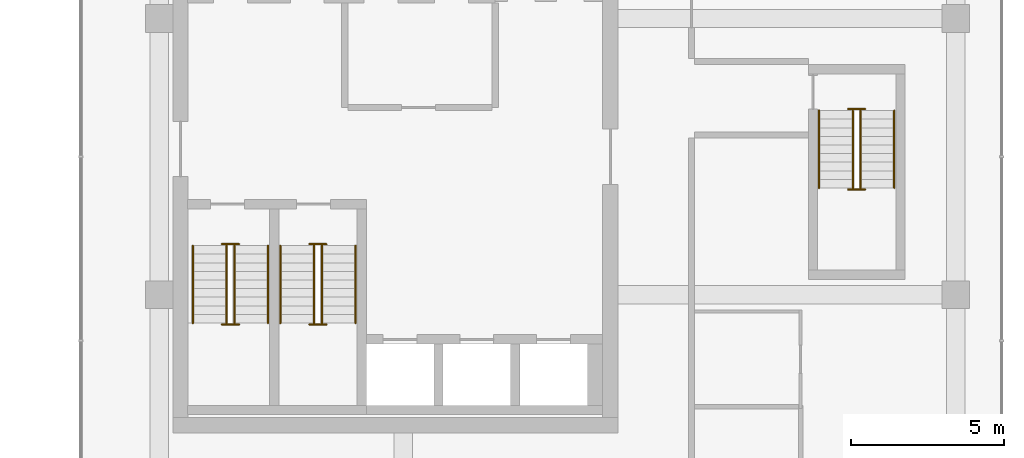
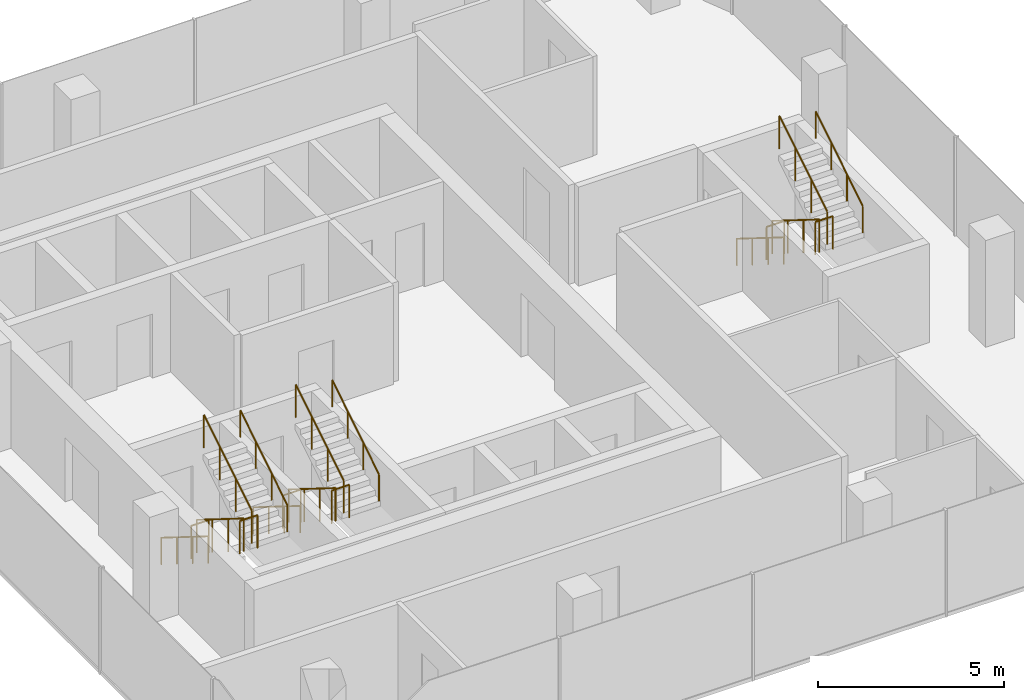
# One storey, part 23 of 23: 18 railings.
"""IFC4 building model written with IfcOpenShell, lengths in metres."""

from ifc_helpers import new_model, si_unit, direction, frame, origin, origin_2d, place, context, subcontext, project, spatial, circle, extrude, material, type_object, element, save


model = new_model("IFC4")

# Units and contexts
model_context = context("Model", 3, precision=1e-05, world=origin(), true_north=direction((0.0, 1.0)))
body_context = subcontext(model_context, "Body", "Model", "MODEL_VIEW")
ifc_project = project(units=[si_unit("LENGTHUNIT", "METRE"), si_unit("AREAUNIT", "SQUARE_METRE"), si_unit("VOLUMEUNIT", "CUBIC_METRE"), si_unit("PLANEANGLEUNIT", "RADIAN"), si_unit("MASSUNIT", "GRAM", prefix="KILO")], contexts=[model_context])

# Site, building, storey
site_placement = place(None, origin())
site = spatial("IfcSite", under=ifc_project, at=site_placement, CompositionType="ELEMENT")
building_placement = place(site_placement, origin())
building = spatial("IfcBuilding", under=site, at=building_placement, Name="Plateau Cross Towers", CompositionType="ELEMENT")
storey_placement = place(building_placement, frame((0.0, 0.0, 40.800048828125)))
storey = spatial("IfcBuildingStorey", under=building, at=storey_placement, Name="L09", CompositionType="ELEMENT", Elevation=40.800048828125)

# Railings
ifc_material_1 = material(Name="Stainless steel and toughened glass", Category="steel")
railing_type_1 = type_object("IfcRailingType", Name="RL-GUARD-1100", PredefinedType="GUARDRAIL", material=ifc_material_1)
railing_1_placement = place(storey_placement, frame((76.75, 6.10009765625, 0.175048828125)))
element("IfcRailing", 1, at=railing_1_placement, inside=storey, type_object=railing_type_1, Name="L09 SB-1 stair guard 1", PredefinedType="GUARDRAIL", context=body_context, shape_type="SweptSolid", body=[
    extrude(circle(Radius=0.02392578125, at=origin_2d()), frame((0.0, 0.0, 1.076171875), z_axis=(0.0, -0.848007534815, 0.529984170421), x_axis=(1.0, 0.0, 0.0)), (0.0, 0.0, 1.0), 2.9716796875),
    extrude(circle(Radius=0.02099609375, at=origin_2d()), origin(), (0.0, 0.0, 1.0), 1.052001953125),
    extrude(circle(Radius=0.02099609375, at=origin_2d()), frame((0.0, -0.840087890625, 0.52490234375)), (0.0, 0.0, 1.0), 1.052001953125),
    extrude(circle(Radius=0.02099609375, at=origin_2d()), frame((0.0, -1.679931640625, 1.050048828125)), (0.0, 0.0, 1.0), 1.052001953125),
    extrude(circle(Radius=0.02099609375, at=origin_2d()), frame((0.0, -2.52001953125, 1.574951171875)), (0.0, 0.0, 1.0), 1.052001953125),
])
railing_2_placement = place(storey_placement, frame((76.60009765625, 3.530029296875, 1.75)))
element("IfcRailing", 2, at=railing_2_placement, inside=storey, type_object=railing_type_1, Name="L09 SB-1 stair guard 2", PredefinedType="GUARDRAIL", context=body_context, shape_type="SweptSolid", body=[
    extrude(circle(Radius=0.02392578125, at=origin_2d()), frame((0.0, 0.0, 1.076171875), z_axis=(1.0, 0.0, 0.0), x_axis=(0.0, 1.0, 0.0)), (0.0, 0.0, 1.0), 0.5498046875),
    extrude(circle(Radius=0.02099609375, at=origin_2d()), origin(), (0.0, 0.0, 1.0), 1.052001953125),
    extrude(circle(Radius=0.02099609375, at=origin_2d()), frame((0.5498046875, 0.0, 0.0)), (0.0, 0.0, 1.0), 1.052001953125),
])
railing_3_placement = place(storey_placement, frame((77.0, 3.580078125, 1.925048828125)))
element("IfcRailing", 3, at=railing_3_placement, inside=storey, type_object=railing_type_1, Name="L09 SB-1 stair guard 3", PredefinedType="GUARDRAIL", context=body_context, shape_type="SweptSolid", body=[
    extrude(circle(Radius=0.02392578125, at=origin_2d()), frame((0.0, 0.0, 1.076171875), z_axis=(0.0, 0.852616386126, 0.522537365276), x_axis=(-1.0, 0.0, 0.0)), (0.0, 0.0, 1.0), 3.01416015625),
    extrude(circle(Radius=0.02099609375, at=origin_2d()), origin(), (0.0, 0.0, 1.0), 1.052001953125),
    extrude(circle(Radius=0.02099609375, at=origin_2d()), frame((0.0, 0.856689453125, 0.52490234375)), (0.0, 0.0, 1.0), 1.052001953125),
    extrude(circle(Radius=0.02099609375, at=origin_2d()), frame((0.0, 1.713134765625, 1.050048828125)), (0.0, 0.0, 1.0), 1.052001953125),
    extrude(circle(Radius=0.02099609375, at=origin_2d()), frame((0.0, 2.56982421875, 1.574951171875)), (0.0, 0.0, 1.0), 1.052001953125),
])
railing_4_placement = place(storey_placement, frame((76.60009765625, 6.14990234375, 0.0)))
element("IfcRailing", 4, at=railing_4_placement, inside=storey, type_object=railing_type_1, Name="L09 SB-1 stair guard 4", PredefinedType="GUARDRAIL", context=body_context, shape_type="SweptSolid", body=[
    extrude(circle(Radius=0.02392578125, at=origin_2d()), frame((0.0, 0.0, 1.076171875), z_axis=(1.0, 0.0, 0.0), x_axis=(0.0, 1.0, 0.0)), (0.0, 0.0, 1.0), 0.5498046875),
    extrude(circle(Radius=0.02099609375, at=origin_2d()), origin(), (0.0, 0.0, 1.0), 1.052001953125),
    extrude(circle(Radius=0.02099609375, at=origin_2d()), frame((0.5498046875, 0.0, 0.0)), (0.0, 0.0, 1.0), 1.052001953125),
])
railing_5_placement = place(storey_placement, frame((79.60009765625, 6.10009765625, 0.175048828125)))
element("IfcRailing", 5, at=railing_5_placement, inside=storey, type_object=railing_type_1, Name="L09 SB-2 stair guard 1", PredefinedType="GUARDRAIL", context=body_context, shape_type="SweptSolid", body=[
    extrude(circle(Radius=0.02392578125, at=origin_2d()), frame((0.0, 0.0, 1.076171875), z_axis=(0.0, -0.848007534815, 0.529984170421), x_axis=(1.0, 0.0, 0.0)), (0.0, 0.0, 1.0), 2.9716796875),
    extrude(circle(Radius=0.02099609375, at=origin_2d()), origin(), (0.0, 0.0, 1.0), 1.052001953125),
    extrude(circle(Radius=0.02099609375, at=origin_2d()), frame((0.0, -0.840087890625, 0.52490234375)), (0.0, 0.0, 1.0), 1.052001953125),
    extrude(circle(Radius=0.02099609375, at=origin_2d()), frame((0.0, -1.679931640625, 1.050048828125)), (0.0, 0.0, 1.0), 1.052001953125),
    extrude(circle(Radius=0.02099609375, at=origin_2d()), frame((0.0, -2.52001953125, 1.574951171875)), (0.0, 0.0, 1.0), 1.052001953125),
])
railing_6_placement = place(storey_placement, frame((79.449951171875, 3.530029296875, 1.75)))
element("IfcRailing", 6, at=railing_6_placement, inside=storey, type_object=railing_type_1, Name="L09 SB-2 stair guard 2", PredefinedType="GUARDRAIL", context=body_context, shape_type="SweptSolid", body=[
    extrude(circle(Radius=0.02392578125, at=origin_2d()), frame((0.0, 0.0, 1.076171875), z_axis=(1.0, 0.0, 0.0), x_axis=(0.0, 1.0, 0.0)), (0.0, 0.0, 1.0), 0.550048828125),
    extrude(circle(Radius=0.02099609375, at=origin_2d()), origin(), (0.0, 0.0, 1.0), 1.052001953125),
    extrude(circle(Radius=0.02099609375, at=origin_2d()), frame((0.550048828125, 0.0, 0.0)), (0.0, 0.0, 1.0), 1.052001953125),
])
railing_7_placement = place(storey_placement, frame((79.85009765625, 3.580078125, 1.925048828125)))
element("IfcRailing", 7, at=railing_7_placement, inside=storey, type_object=railing_type_1, Name="L09 SB-2 stair guard 3", PredefinedType="GUARDRAIL", context=body_context, shape_type="SweptSolid", body=[
    extrude(circle(Radius=0.02392578125, at=origin_2d()), frame((0.0, 0.0, 1.076171875), z_axis=(0.0, 0.852616386126, 0.522537365276), x_axis=(-1.0, 0.0, 0.0)), (0.0, 0.0, 1.0), 3.01416015625),
    extrude(circle(Radius=0.02099609375, at=origin_2d()), origin(), (0.0, 0.0, 1.0), 1.052001953125),
    extrude(circle(Radius=0.02099609375, at=origin_2d()), frame((0.0, 0.856689453125, 0.52490234375)), (0.0, 0.0, 1.0), 1.052001953125),
    extrude(circle(Radius=0.02099609375, at=origin_2d()), frame((0.0, 1.713134765625, 1.050048828125)), (0.0, 0.0, 1.0), 1.052001953125),
    extrude(circle(Radius=0.02099609375, at=origin_2d()), frame((0.0, 2.56982421875, 1.574951171875)), (0.0, 0.0, 1.0), 1.052001953125),
])
railing_8_placement = place(storey_placement, frame((79.449951171875, 6.14990234375, 0.0)))
element("IfcRailing", 8, at=railing_8_placement, inside=storey, type_object=railing_type_1, Name="L09 SB-2 stair guard 4", PredefinedType="GUARDRAIL", context=body_context, shape_type="SweptSolid", body=[
    extrude(circle(Radius=0.02392578125, at=origin_2d()), frame((0.0, 0.0, 1.076171875), z_axis=(1.0, 0.0, 0.0), x_axis=(0.0, 1.0, 0.0)), (0.0, 0.0, 1.0), 0.550048828125),
    extrude(circle(Radius=0.02099609375, at=origin_2d()), origin(), (0.0, 0.0, 1.0), 1.052001953125),
    extrude(circle(Radius=0.02099609375, at=origin_2d()), frame((0.550048828125, 0.0, 0.0)), (0.0, 0.0, 1.0), 1.052001953125),
])
railing_9_placement = place(storey_placement, frame((97.14990234375, 10.5, 0.175048828125)))
element("IfcRailing", 9, at=railing_9_placement, inside=storey, type_object=railing_type_1, Name="L09 SB-3 stair guard 1", PredefinedType="GUARDRAIL", context=body_context, shape_type="SweptSolid", body=[
    extrude(circle(Radius=0.02392578125, at=origin_2d()), frame((0.0, 0.0, 1.076171875), z_axis=(0.0, -0.848007534815, 0.529984170421), x_axis=(1.0, 0.0, 0.0)), (0.0, 0.0, 1.0), 2.9716796875),
    extrude(circle(Radius=0.02099609375, at=origin_2d()), origin(), (0.0, 0.0, 1.0), 1.052001953125),
    extrude(circle(Radius=0.02099609375, at=origin_2d()), frame((0.0, -0.840087890625, 0.52490234375)), (0.0, 0.0, 1.0), 1.052001953125),
    extrude(circle(Radius=0.02099609375, at=origin_2d()), frame((0.0, -1.679931640625, 1.050048828125)), (0.0, 0.0, 1.0), 1.052001953125),
    extrude(circle(Radius=0.02099609375, at=origin_2d()), frame((0.0, -2.52001953125, 1.574951171875)), (0.0, 0.0, 1.0), 1.052001953125),
])
railing_10_placement = place(storey_placement, frame((97.0, 7.929931640625, 1.75)))
element("IfcRailing", 10, at=railing_10_placement, inside=storey, type_object=railing_type_1, Name="L09 SB-3 stair guard 2", PredefinedType="GUARDRAIL", context=body_context, shape_type="SweptSolid", body=[
    extrude(circle(Radius=0.02392578125, at=origin_2d()), frame((0.0, 0.0, 1.076171875), z_axis=(1.0, 0.0, 0.0), x_axis=(0.0, 1.0, 0.0)), (0.0, 0.0, 1.0), 0.550048828125),
    extrude(circle(Radius=0.02099609375, at=origin_2d()), origin(), (0.0, 0.0, 1.0), 1.052001953125),
    extrude(circle(Radius=0.02099609375, at=origin_2d()), frame((0.550048828125, 0.0, 0.0)), (0.0, 0.0, 1.0), 1.052001953125),
])
railing_11_placement = place(storey_placement, frame((97.39990234375, 7.97998046875, 1.925048828125)))
element("IfcRailing", 11, at=railing_11_placement, inside=storey, type_object=railing_type_1, Name="L09 SB-3 stair guard 3", PredefinedType="GUARDRAIL", context=body_context, shape_type="SweptSolid", body=[
    extrude(circle(Radius=0.02392578125, at=origin_2d()), frame((0.0, 0.0, 1.076171875), z_axis=(0.0, 0.852638500773, 0.522501279423), x_axis=(-1.0, 0.0, 0.0)), (0.0, 0.0, 1.0), 3.01416015625),
    extrude(circle(Radius=0.02099609375, at=origin_2d()), origin(), (0.0, 0.0, 1.0), 1.052001953125),
    extrude(circle(Radius=0.02099609375, at=origin_2d()), frame((0.0, 0.856689453125, 0.52490234375)), (0.0, 0.0, 1.0), 1.052001953125),
    extrude(circle(Radius=0.02099609375, at=origin_2d()), frame((0.0, 1.71337890625, 1.050048828125)), (0.0, 0.0, 1.0), 1.052001953125),
    extrude(circle(Radius=0.02099609375, at=origin_2d()), frame((0.0, 2.570068359375, 1.574951171875)), (0.0, 0.0, 1.0), 1.052001953125),
])
railing_12_placement = place(storey_placement, frame((97.0, 10.550048828125, 0.0)))
element("IfcRailing", 12, at=railing_12_placement, inside=storey, type_object=railing_type_1, Name="L09 SB-3 stair guard 4", PredefinedType="GUARDRAIL", context=body_context, shape_type="SweptSolid", body=[
    extrude(circle(Radius=0.02392578125, at=origin_2d()), frame((0.0, 0.0, 1.076171875), z_axis=(1.0, 0.0, 0.0), x_axis=(0.0, 1.0, 0.0)), (0.0, 0.0, 1.0), 0.550048828125),
    extrude(circle(Radius=0.02099609375, at=origin_2d()), origin(), (0.0, 0.0, 1.0), 1.052001953125),
    extrude(circle(Radius=0.02099609375, at=origin_2d()), frame((0.550048828125, 0.0, 0.0)), (0.0, 0.0, 1.0), 1.052001953125),
])
ifc_material_2 = material(Name="Black anodised aluminium", Category="aluminium")
railing_type_2 = type_object("IfcRailingType", Name="RL-HANDRAIL-900", PredefinedType="HANDRAIL", material=ifc_material_2)
railing_13_placement = place(storey_placement, frame((75.64990234375, 6.10009765625, 0.175048828125)))
element("IfcRailing", 13, at=railing_13_placement, inside=storey, type_object=railing_type_2, Name="L09 SB-1 stair handrail 1", PredefinedType="HANDRAIL", context=body_context, shape_type="SweptSolid", body=[
    extrude(circle(Radius=0.02392578125, at=origin_2d()), frame((0.0, 0.0, 0.8759765625), z_axis=(0.0, -0.848007534815, 0.529984170421), x_axis=(1.0, 0.0, 0.0)), (0.0, 0.0, 1.0), 2.9716796875),
    extrude(circle(Radius=0.02099609375, at=origin_2d()), origin(), (0.0, 0.0, 1.0), 0.851806640625),
    extrude(circle(Radius=0.02099609375, at=origin_2d()), frame((0.0, -0.840087890625, 0.52490234375)), (0.0, 0.0, 1.0), 0.851806640625),
    extrude(circle(Radius=0.02099609375, at=origin_2d()), frame((0.0, -1.679931640625, 1.050048828125)), (0.0, 0.0, 1.0), 0.851806640625),
    extrude(circle(Radius=0.02099609375, at=origin_2d()), frame((0.0, -2.52001953125, 1.574951171875)), (0.0, 0.0, 1.0), 0.851806640625),
])
railing_14_placement = place(storey_placement, frame((78.10009765625, 3.580078125, 1.925048828125)))
element("IfcRailing", 14, at=railing_14_placement, inside=storey, type_object=railing_type_2, Name="L09 SB-1 stair handrail 2", PredefinedType="HANDRAIL", context=body_context, shape_type="SweptSolid", body=[
    extrude(circle(Radius=0.02392578125, at=origin_2d()), frame((0.0, 0.0, 0.8759765625), z_axis=(0.0, 0.848007534815, 0.529984170421), x_axis=(-1.0, 0.0, 0.0)), (0.0, 0.0, 1.0), 2.9716796875),
    extrude(circle(Radius=0.02099609375, at=origin_2d()), origin(), (0.0, 0.0, 1.0), 0.851806640625),
    extrude(circle(Radius=0.02099609375, at=origin_2d()), frame((0.0, 0.840087890625, 0.52490234375)), (0.0, 0.0, 1.0), 0.851806640625),
    extrude(circle(Radius=0.02099609375, at=origin_2d()), frame((0.0, 1.679931640625, 1.050048828125)), (0.0, 0.0, 1.0), 0.851806640625),
    extrude(circle(Radius=0.02099609375, at=origin_2d()), frame((0.0, 2.52001953125, 1.574951171875)), (0.0, 0.0, 1.0), 0.851806640625),
])
railing_15_placement = place(storey_placement, frame((78.5, 6.10009765625, 0.175048828125)))
element("IfcRailing", 15, at=railing_15_placement, inside=storey, type_object=railing_type_2, Name="L09 SB-2 stair handrail 1", PredefinedType="HANDRAIL", context=body_context, shape_type="SweptSolid", body=[
    extrude(circle(Radius=0.02392578125, at=origin_2d()), frame((0.0, 0.0, 0.8759765625), z_axis=(0.0, -0.848007534815, 0.529984170421), x_axis=(1.0, 0.0, 0.0)), (0.0, 0.0, 1.0), 2.9716796875),
    extrude(circle(Radius=0.02099609375, at=origin_2d()), origin(), (0.0, 0.0, 1.0), 0.851806640625),
    extrude(circle(Radius=0.02099609375, at=origin_2d()), frame((0.0, -0.840087890625, 0.52490234375)), (0.0, 0.0, 1.0), 0.851806640625),
    extrude(circle(Radius=0.02099609375, at=origin_2d()), frame((0.0, -1.679931640625, 1.050048828125)), (0.0, 0.0, 1.0), 0.851806640625),
    extrude(circle(Radius=0.02099609375, at=origin_2d()), frame((0.0, -2.52001953125, 1.574951171875)), (0.0, 0.0, 1.0), 0.851806640625),
])
railing_16_placement = place(storey_placement, frame((80.949951171875, 3.580078125, 1.925048828125)))
element("IfcRailing", 16, at=railing_16_placement, inside=storey, type_object=railing_type_2, Name="L09 SB-2 stair handrail 2", PredefinedType="HANDRAIL", context=body_context, shape_type="SweptSolid", body=[
    extrude(circle(Radius=0.02392578125, at=origin_2d()), frame((0.0, 0.0, 0.8759765625), z_axis=(0.0, 0.848007534815, 0.529984170421), x_axis=(-1.0, 0.0, 0.0)), (0.0, 0.0, 1.0), 2.9716796875),
    extrude(circle(Radius=0.02099609375, at=origin_2d()), origin(), (0.0, 0.0, 1.0), 0.851806640625),
    extrude(circle(Radius=0.02099609375, at=origin_2d()), frame((0.0, 0.840087890625, 0.52490234375)), (0.0, 0.0, 1.0), 0.851806640625),
    extrude(circle(Radius=0.02099609375, at=origin_2d()), frame((0.0, 1.679931640625, 1.050048828125)), (0.0, 0.0, 1.0), 0.851806640625),
    extrude(circle(Radius=0.02099609375, at=origin_2d()), frame((0.0, 2.52001953125, 1.574951171875)), (0.0, 0.0, 1.0), 0.851806640625),
])
railing_17_placement = place(storey_placement, frame((96.050048828125, 10.5, 0.175048828125)))
element("IfcRailing", 17, at=railing_17_placement, inside=storey, type_object=railing_type_2, Name="L09 SB-3 stair handrail 1", PredefinedType="HANDRAIL", context=body_context, shape_type="SweptSolid", body=[
    extrude(circle(Radius=0.02392578125, at=origin_2d()), frame((0.0, 0.0, 0.8759765625), z_axis=(0.0, -0.848007534815, 0.529984170421), x_axis=(1.0, 0.0, 0.0)), (0.0, 0.0, 1.0), 2.9716796875),
    extrude(circle(Radius=0.02099609375, at=origin_2d()), origin(), (0.0, 0.0, 1.0), 0.851806640625),
    extrude(circle(Radius=0.02099609375, at=origin_2d()), frame((0.0, -0.840087890625, 0.52490234375)), (0.0, 0.0, 1.0), 0.851806640625),
    extrude(circle(Radius=0.02099609375, at=origin_2d()), frame((0.0, -1.679931640625, 1.050048828125)), (0.0, 0.0, 1.0), 0.851806640625),
    extrude(circle(Radius=0.02099609375, at=origin_2d()), frame((0.0, -2.52001953125, 1.574951171875)), (0.0, 0.0, 1.0), 0.851806640625),
])
railing_18_placement = place(storey_placement, frame((98.5, 7.97998046875, 1.925048828125)))
element("IfcRailing", 18, at=railing_18_placement, inside=storey, type_object=railing_type_2, Name="L09 SB-3 stair handrail 2", PredefinedType="HANDRAIL", context=body_context, shape_type="SweptSolid", body=[
    extrude(circle(Radius=0.02392578125, at=origin_2d()), frame((0.0, 0.0, 0.8759765625), z_axis=(0.0, 0.848007534815, 0.529984170421), x_axis=(-1.0, 0.0, 0.0)), (0.0, 0.0, 1.0), 2.9716796875),
    extrude(circle(Radius=0.02099609375, at=origin_2d()), origin(), (0.0, 0.0, 1.0), 0.851806640625),
    extrude(circle(Radius=0.02099609375, at=origin_2d()), frame((0.0, 0.840087890625, 0.52490234375)), (0.0, 0.0, 1.0), 0.851806640625),
    extrude(circle(Radius=0.02099609375, at=origin_2d()), frame((0.0, 1.679931640625, 1.050048828125)), (0.0, 0.0, 1.0), 0.851806640625),
    extrude(circle(Radius=0.02099609375, at=origin_2d()), frame((0.0, 2.52001953125, 1.574951171875)), (0.0, 0.0, 1.0), 0.851806640625),
])

save(model, "model.ifc")
